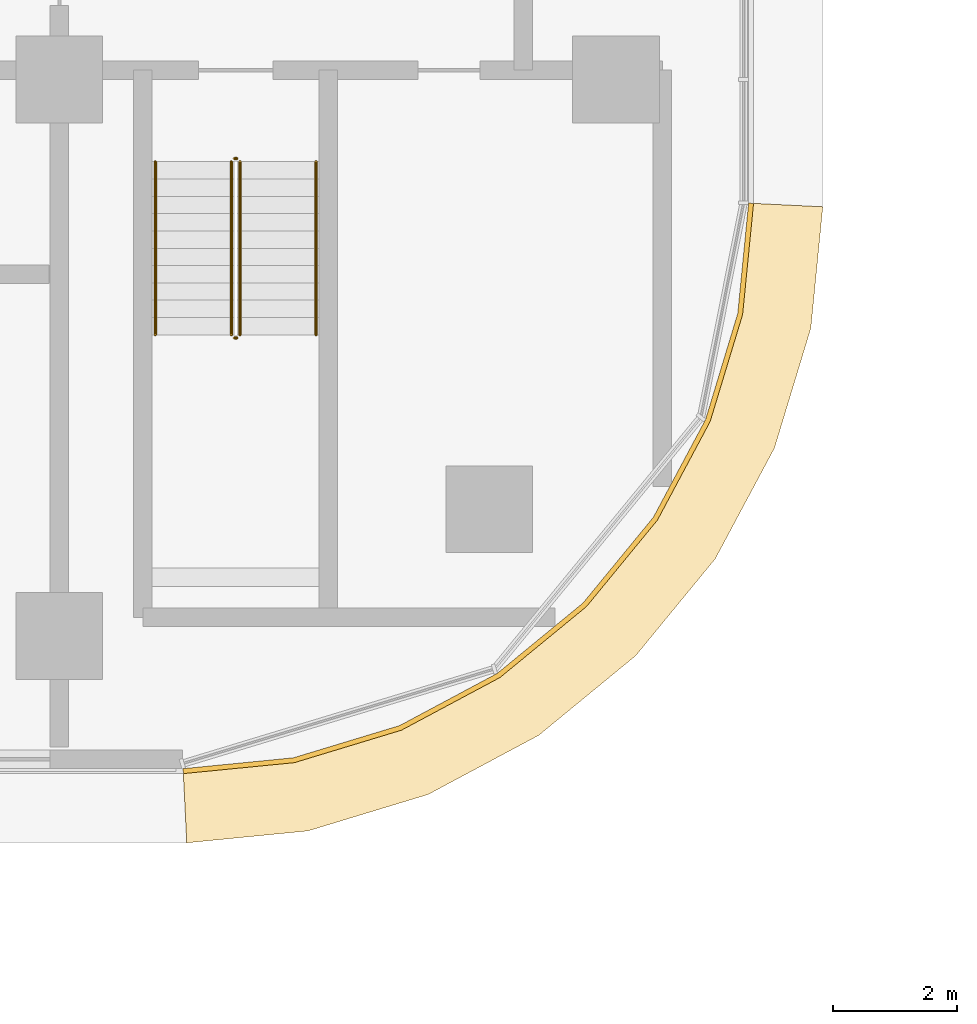
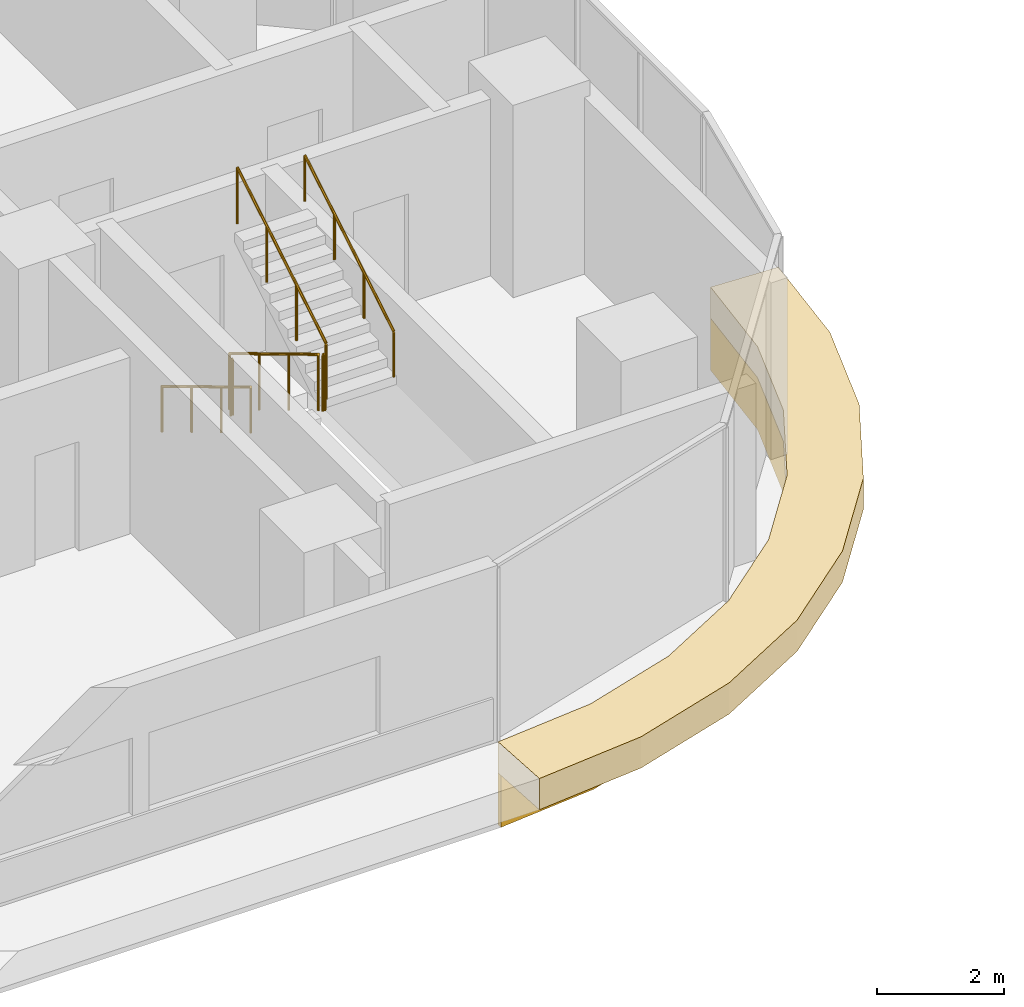
# One storey, part 31 of 36: 6 railings, 2 coverings.
"""IFC4 building model written with IfcOpenShell, lengths in metres."""

from ifc_helpers import new_model, si_unit, direction, frame, origin, origin_2d, place, context, subcontext, project, spatial, polyline, circle, outline, extrude, material, layer, layer_set, type_object, element, save


model = new_model("IFC4")

# Units and contexts
model_context = context("Model", 3, precision=1e-05, world=origin(), true_north=direction((0.0, 1.0)))
body_context = subcontext(model_context, "Body", "Model", "MODEL_VIEW")
ifc_project = project(units=[si_unit("LENGTHUNIT", "METRE"), si_unit("AREAUNIT", "SQUARE_METRE"), si_unit("VOLUMEUNIT", "CUBIC_METRE"), si_unit("PLANEANGLEUNIT", "RADIAN"), si_unit("MASSUNIT", "GRAM", prefix="KILO")], contexts=[model_context])

# Site, building, storey
site_placement = place(None, origin())
site = spatial("IfcSite", under=ifc_project, at=site_placement, CompositionType="ELEMENT")
building_placement = place(site_placement, origin())
building = spatial("IfcBuilding", under=site, at=building_placement, Name="Ogive Portal Towers", CompositionType="ELEMENT")
storey_placement = place(building_placement, frame((0.0, 0.0, 52.0)))
storey = spatial("IfcBuildingStorey", under=building, at=storey_placement, Name="L11", CompositionType="ELEMENT", Elevation=52.0)

# Railings
ifc_material_1 = material(Name="Stainless steel balustrade", Category="steel")
railing_type_1 = type_object("IfcRailingType", Name="INT-GUARD", PredefinedType="GUARDRAIL", material=ifc_material_1)
railing_1_placement = place(storey_placement, frame((88.280029296875, 29.169921875, 0.168212890625)))
element("IfcRailing", 1, at=railing_1_placement, inside=storey, type_object=railing_type_1, Name="L11 ST-A4 stair guard 1", PredefinedType="GUARDRAIL", context=body_context, shape_type="SweptSolid", body=[
    extrude(circle(Radius=0.02392578125, at=origin_2d()), frame((0.0, 0.0, 1.076171875), z_axis=(0.0, -0.857222391501, 0.514946377315), x_axis=(1.0, 0.0, 0.0)), (0.0, 0.0, 1.0), 3.26611328125),
    extrude(circle(Radius=0.02099609375, at=origin_2d()), origin(), (0.0, 0.0, 1.0), 1.052001953125),
    extrude(circle(Radius=0.02099609375, at=origin_2d()), frame((0.0, -0.933349609375, 0.560546875)), (0.0, 0.0, 1.0), 1.052001953125),
    extrude(circle(Radius=0.02099609375, at=origin_2d()), frame((0.0, -1.866455078125, 1.121337890625)), (0.0, 0.0, 1.0), 1.052001953125),
    extrude(circle(Radius=0.02099609375, at=origin_2d()), frame((0.0, -2.7998046875, 1.681884765625)), (0.0, 0.0, 1.0), 1.052001953125),
])
railing_2_placement = place(storey_placement, frame((88.330078125, 26.320068359375, 1.85009765625)))
element("IfcRailing", 2, at=railing_2_placement, inside=storey, type_object=railing_type_1, Name="L11 ST-A4 stair guard 2", PredefinedType="GUARDRAIL", context=body_context, shape_type="SweptSolid", body=[
    extrude(circle(Radius=0.02392578125, at=origin_2d()), frame((0.0, 0.0, 1.076171875), z_axis=(1.0, 0.0, 0.0), x_axis=(0.0, 1.0, 0.0)), (0.0, 0.0, 1.0), 0.0400390625),
    extrude(circle(Radius=0.02099609375, at=origin_2d()), origin(), (0.0, 0.0, 1.0), 1.052001953125),
    extrude(circle(Radius=0.02099609375, at=origin_2d()), frame((0.0400390625, 0.0, 0.0)), (0.0, 0.0, 1.0), 1.052001953125),
])
railing_3_placement = place(storey_placement, frame((88.419921875, 26.3701171875, 2.01806640625)))
element("IfcRailing", 3, at=railing_3_placement, inside=storey, type_object=railing_type_1, Name="L11 ST-A4 stair guard 3", PredefinedType="GUARDRAIL", context=body_context, shape_type="SweptSolid", body=[
    extrude(circle(Radius=0.02392578125, at=origin_2d()), frame((0.0, 0.0, 1.076171875), z_axis=(0.0, 0.857222391501, 0.514946377315), x_axis=(-1.0, 0.0, 0.0)), (0.0, 0.0, 1.0), 3.26611328125),
    extrude(circle(Radius=0.02099609375, at=origin_2d()), origin(), (0.0, 0.0, 1.0), 1.052001953125),
    extrude(circle(Radius=0.02099609375, at=origin_2d()), frame((0.0, 0.933349609375, 0.560546875)), (0.0, 0.0, 1.0), 1.052001953125),
    extrude(circle(Radius=0.02099609375, at=origin_2d()), frame((0.0, 1.866455078125, 1.121337890625)), (0.0, 0.0, 1.0), 1.052001953125),
    extrude(circle(Radius=0.02099609375, at=origin_2d()), frame((0.0, 2.7998046875, 1.681884765625)), (0.0, 0.0, 1.0), 1.052001953125),
])
railing_4_placement = place(storey_placement, frame((88.330078125, 29.219970703125, 0.0)))
element("IfcRailing", 4, at=railing_4_placement, inside=storey, type_object=railing_type_1, Name="L11 ST-A4 stair guard 4", PredefinedType="GUARDRAIL", context=body_context, shape_type="SweptSolid", body=[
    extrude(circle(Radius=0.02392578125, at=origin_2d()), frame((0.0, 0.0, 1.076171875), z_axis=(1.0, 0.0, 0.0), x_axis=(0.0, 1.0, 0.0)), (0.0, 0.0, 1.0), 0.0400390625),
    extrude(circle(Radius=0.02099609375, at=origin_2d()), origin(), (0.0, 0.0, 1.0), 1.052001953125),
    extrude(circle(Radius=0.02099609375, at=origin_2d()), frame((0.0400390625, 0.0, 0.0)), (0.0, 0.0, 1.0), 1.052001953125),
])
ifc_material_2 = material(Name="Stainless steel handrail", Category="steel")
railing_type_2 = type_object("IfcRailingType", Name="INT-HANDRAIL", PredefinedType="HANDRAIL", material=ifc_material_2)
railing_5_placement = place(storey_placement, frame((87.050048828125, 29.169921875, 0.168212890625)))
element("IfcRailing", 5, at=railing_5_placement, inside=storey, type_object=railing_type_2, Name="L11 ST-A4 stair handrail 1", PredefinedType="HANDRAIL", context=body_context, shape_type="SweptSolid", body=[
    extrude(circle(Radius=0.02392578125, at=origin_2d()), frame((0.0, 0.0, 0.8759765625), z_axis=(0.0, -0.857222391501, 0.514946377315), x_axis=(1.0, 0.0, 0.0)), (0.0, 0.0, 1.0), 3.26611328125),
    extrude(circle(Radius=0.02099609375, at=origin_2d()), origin(), (0.0, 0.0, 1.0), 0.851806640625),
    extrude(circle(Radius=0.02099609375, at=origin_2d()), frame((0.0, -0.933349609375, 0.560546875)), (0.0, 0.0, 1.0), 0.851806640625),
    extrude(circle(Radius=0.02099609375, at=origin_2d()), frame((0.0, -1.866455078125, 1.121337890625)), (0.0, 0.0, 1.0), 0.851806640625),
    extrude(circle(Radius=0.02099609375, at=origin_2d()), frame((0.0, -2.7998046875, 1.681884765625)), (0.0, 0.0, 1.0), 0.851806640625),
])
railing_6_placement = place(storey_placement, frame((89.64990234375, 26.3701171875, 2.01806640625)))
element("IfcRailing", 6, at=railing_6_placement, inside=storey, type_object=railing_type_2, Name="L11 ST-A4 stair handrail 2", PredefinedType="HANDRAIL", context=body_context, shape_type="SweptSolid", body=[
    extrude(circle(Radius=0.02392578125, at=origin_2d()), frame((0.0, 0.0, 0.8759765625), z_axis=(0.0, 0.857222391501, 0.514946377315), x_axis=(-1.0, 0.0, 0.0)), (0.0, 0.0, 1.0), 3.26611328125),
    extrude(circle(Radius=0.02099609375, at=origin_2d()), origin(), (0.0, 0.0, 1.0), 0.851806640625),
    extrude(circle(Radius=0.02099609375, at=origin_2d()), frame((0.0, 0.933349609375, 0.560546875)), (0.0, 0.0, 1.0), 0.851806640625),
    extrude(circle(Radius=0.02099609375, at=origin_2d()), frame((0.0, 1.866455078125, 1.121337890625)), (0.0, 0.0, 1.0), 0.851806640625),
    extrude(circle(Radius=0.02099609375, at=origin_2d()), frame((0.0, 2.7998046875, 1.681884765625)), (0.0, 0.0, 1.0), 0.851806640625),
])

# Coverings
ifc_material_3 = material(Name="Limestone cladding on lightweight block wall", Category="masonry")
ifc_layer_1 = layer(ifc_material_3, 0.080078125)
ifc_layer_set_1 = layer_set([ifc_layer_1], Name="STONE SPANDREL 80")
covering_type_1 = type_object("IfcCoveringType", Name="STONE SPANDREL 80", PredefinedType="CLADDING", material=ifc_layer_set_1)
covering_1_placement = place(storey_placement, frame((0.0, 0.0, -1.60009765625)))
element("IfcCovering", 7, at=covering_1_placement, inside=storey, type_object=covering_type_1, Name="Stone spandrel A1-F06", PredefinedType="CLADDING", context=body_context, shape_type="SweptSolid", body=[
    extrude(outline(polyline([(87.5, 19.35498046875), (89.2841796875, 19.53076171875), (90.999755859375, 20.051025390625), (92.580810546875, 20.896240234375), (93.966552734375, 22.033447265625), (95.103759765625, 23.419189453125), (95.948974609375, 25.000244140625), (96.46923828125, 26.7158203125), (96.64501953125, 28.5), (96.72509765625, 28.49609375), (96.548095703125, 26.7001953125), (96.023193359375, 24.969482421875), (95.170654296875, 23.374755859375), (94.0234375, 21.9765625), (92.625244140625, 20.829345703125), (91.030517578125, 19.976806640625), (89.2998046875, 19.451904296875), (87.50390625, 19.27490234375), (87.5, 19.35498046875)])), origin(), (0.0, 0.0, 1.0), 1.0),
])
ifc_layer_2 = layer(ifc_material_3, 0.60009765625)
ifc_layer_set_2 = layer_set([ifc_layer_2], Name="SUNSHADE LIP 600")
covering_type_2 = type_object("IfcCoveringType", Name="SUNSHADE LIP 600", PredefinedType="CLADDING", material=ifc_layer_set_2)
covering_2_placement = place(storey_placement, frame((0.0, 0.0, -0.60009765625)))
element("IfcCovering", 8, at=covering_2_placement, inside=storey, type_object=covering_type_2, Name="Sunshade lip A1-F06", PredefinedType="CLADDING", context=body_context, shape_type="SweptSolid", body=[
    extrude(outline(polyline([(87.5, 19.35498046875), (89.2841796875, 19.53076171875), (90.999755859375, 20.051025390625), (92.580810546875, 20.896240234375), (93.966552734375, 22.033447265625), (95.103759765625, 23.419189453125), (95.948974609375, 25.000244140625), (96.46923828125, 26.7158203125), (96.64501953125, 28.5), (97.844970703125, 28.441162109375), (97.65185546875, 26.480712890625), (97.06298828125, 24.538818359375), (96.1064453125, 22.74951171875), (94.819091796875, 21.180908203125), (93.25048828125, 19.8935546875), (91.461181640625, 18.93701171875), (89.519287109375, 18.34814453125), (87.558837890625, 18.155029296875), (87.5, 19.35498046875)])), origin(), (0.0, 0.0, 1.0), 0.60009765625),
])

save(model, "model.ifc")
